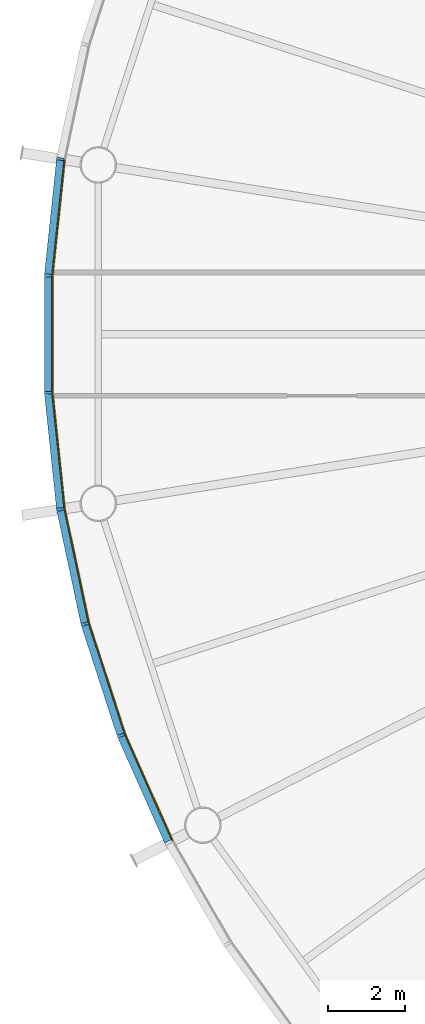
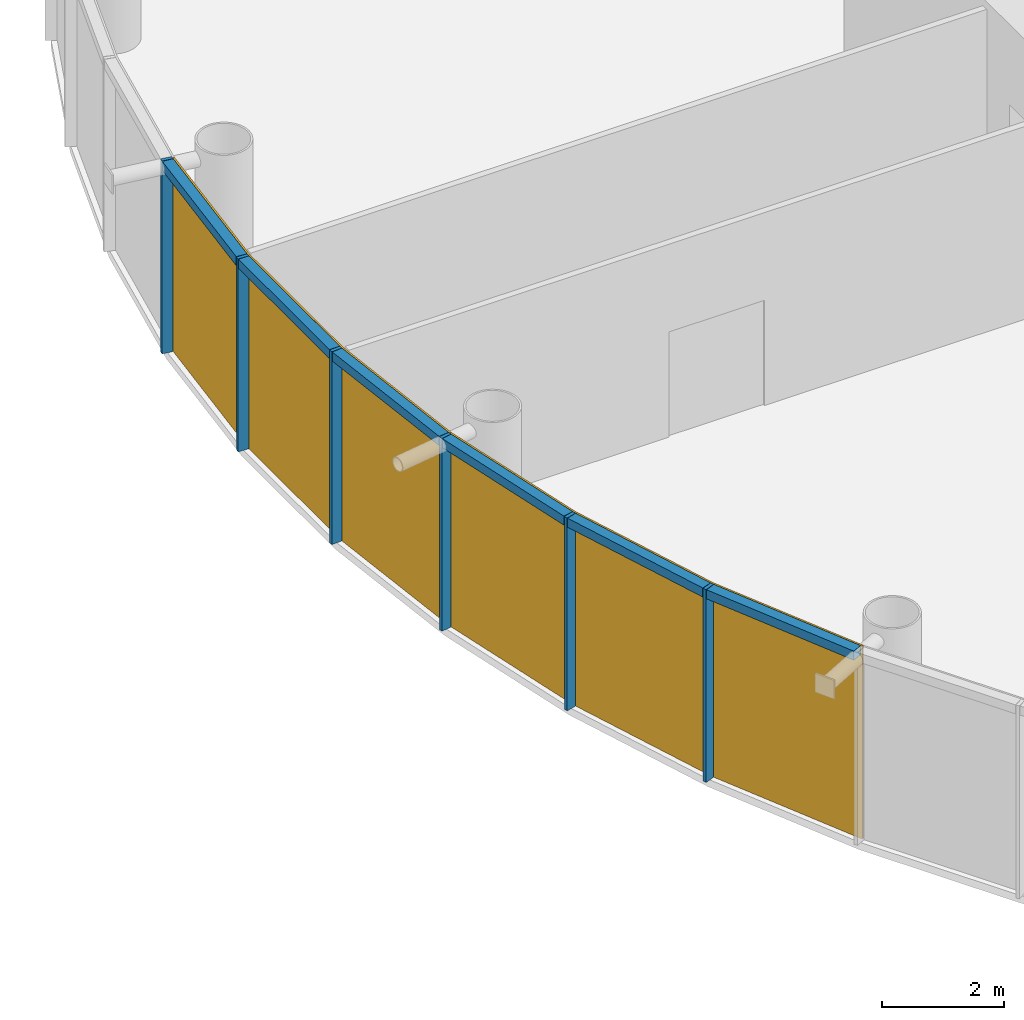
# One storey, part 11 of 16: 12 members, 2 curtain walls.
"""IFC4 building model written with IfcOpenShell, lengths in metres."""

from ifc_helpers import new_model, si_unit, direction, frame, origin, origin_2d, place, context, subcontext, project, spatial, polyline, rectangle, outline, extrude, material, layer, layer_set, material_profile, profile_set, type_object, element, aggregate, save


model = new_model("IFC4")

# Units and contexts
model_context = context("Model", 3, precision=1e-05, world=origin(), true_north=direction((0.0, 1.0)))
body_context = subcontext(model_context, "Body", "Model", "MODEL_VIEW")
ifc_project = project(units=[si_unit("LENGTHUNIT", "METRE"), si_unit("AREAUNIT", "SQUARE_METRE"), si_unit("VOLUMEUNIT", "CUBIC_METRE"), si_unit("PLANEANGLEUNIT", "RADIAN"), si_unit("MASSUNIT", "GRAM", prefix="KILO")], contexts=[model_context])

# Member
ifc_material_1 = material(Name="Anodised aluminium", Category="aluminium")
ifc_material_profile_1 = material_profile(ifc_material_1, rectangle(XDim=0.06494140625, YDim=0.195068359375, at=origin_2d()), Name="Mullion 65 x 195 mm anodised aluminium")
ifc_profile_set_1 = profile_set([ifc_material_profile_1], Name="Anodised aluminium")
member_type_1 = type_object("IfcMemberType", Name="Mullion 65 x 195 mm anodised aluminium", PredefinedType="MULLION", material=ifc_profile_set_1)
site_placement = place(None, origin())
building_placement = place(site_placement, origin())
storey_placement = place(building_placement, frame((0.0, 0.0, 326.0)))
member_1_placement = place(storey_placement, frame((61.2607421875, 84.5517578125, 0.0), z_axis=(0.0, 0.0, 1.0), x_axis=(-0.15643446504, -0.987688340595, 0.0)))
member_1 = element("IfcMember", 1, at=member_1_placement, type_object=member_type_1, Name="MULLION L75-27", PredefinedType="MULLION", context=body_context, shape_type="SweptSolid", body=[
    extrude(rectangle(XDim=0.06494140625, YDim=0.195068359375, at=origin_2d()), origin(), (0.0, 0.0, 1.0), 3.85009765625),
])

member_2_placement = place(storey_placement, frame((60.9423828125, 81.52294921875, 0.0), z_axis=(0.0, 0.0, 1.0), x_axis=(-0.052335956243, -0.998629534755, 0.0)))
member_2 = element("IfcMember", 2, at=member_2_placement, type_object=member_type_1, Name="MULLION L75-28", PredefinedType="MULLION", context=body_context, shape_type="SweptSolid", body=[
    extrude(rectangle(XDim=0.06494140625, YDim=0.195068359375, at=origin_2d()), origin(), (0.0, 0.0, 1.0), 3.85009765625),
])

member_3_placement = place(storey_placement, frame((60.9423828125, 78.47705078125, 0.0), z_axis=(0.0, 0.0, 1.0), x_axis=(0.052335956243, -0.998629534755, 0.0)))
member_3 = element("IfcMember", 3, at=member_3_placement, type_object=member_type_1, Name="MULLION L75-29", PredefinedType="MULLION", context=body_context, shape_type="SweptSolid", body=[
    extrude(rectangle(XDim=0.06494140625, YDim=0.195068359375, at=origin_2d()), origin(), (0.0, 0.0, 1.0), 3.85009765625),
])

member_4_placement = place(storey_placement, frame((61.2607421875, 75.4482421875, 0.0), z_axis=(0.0, 0.0, 1.0), x_axis=(0.15643446504, -0.987688340595, 0.0)))
member_4 = element("IfcMember", 4, at=member_4_placement, type_object=member_type_1, Name="MULLION L75-30", PredefinedType="MULLION", context=body_context, shape_type="SweptSolid", body=[
    extrude(rectangle(XDim=0.06494140625, YDim=0.195068359375, at=origin_2d()), origin(), (0.0, 0.0, 1.0), 3.85009765625),
])

member_5_placement = place(storey_placement, frame((61.89404296875, 72.468994140625, 0.0), z_axis=(0.0, 0.0, 1.0), x_axis=(0.258819045103, -0.965925826289, 0.0)))
member_5 = element("IfcMember", 5, at=member_5_placement, type_object=member_type_1, Name="MULLION L75-31", PredefinedType="MULLION", context=body_context, shape_type="SweptSolid", body=[
    extrude(rectangle(XDim=0.06494140625, YDim=0.195068359375, at=origin_2d()), origin(), (0.0, 0.0, 1.0), 3.85009765625),
])

member_6_placement = place(storey_placement, frame((62.835205078125, 69.572509765625, 0.0), z_axis=(0.0, 0.0, 1.0), x_axis=(0.358367949545, -0.933580426497, 0.0)))
member_6 = element("IfcMember", 6, at=member_6_placement, type_object=member_type_1, Name="MULLION L75-32", PredefinedType="MULLION", context=body_context, shape_type="SweptSolid", body=[
    extrude(rectangle(XDim=0.06494140625, YDim=0.195068359375, at=origin_2d()), origin(), (0.0, 0.0, 1.0), 3.85009765625),
])

ifc_material_2 = material(Name="Anodised aluminium", Category="aluminium")
ifc_material_profile_2 = material_profile(ifc_material_2, rectangle(XDim=0.195068359375, YDim=0.179931640625, at=origin_2d()), Name="Transom 180 x 195 mm anodised aluminium")
ifc_profile_set_2 = profile_set([ifc_material_profile_2], Name="Anodised aluminium")
member_type_2 = type_object("IfcMemberType", Name="Transom 180 x 195 mm anodised aluminium", PredefinedType="USERDEFINED", material=ifc_profile_set_2)
member_7_placement = place(storey_placement, frame((61.256591796875, 84.514404296875, 3.760009765625), z_axis=(-0.104466577987, -0.994528397827, 0.0), x_axis=(0.994528397827, -0.104466577987, 0.0)))
member_7 = element("IfcMember", 7, at=member_7_placement, type_object=member_type_2, Name="TRANSOM L75-27", ObjectType="TRANSOM", PredefinedType="USERDEFINED", context=body_context, shape_type="SweptSolid", body=[
    extrude(rectangle(XDim=0.195068359375, YDim=0.179931640625, at=origin_2d()), origin(), (0.0, 0.0, 1.0), 2.970458984375),
])

member_8_placement = place(storey_placement, frame((60.942138671875, 81.4853515625, 3.760009765625), z_axis=(0.0, -1.0, 0.0), x_axis=(1.0, 0.0, 0.0)))
member_8 = element("IfcMember", 8, at=member_8_placement, type_object=member_type_2, Name="TRANSOM L75-28", ObjectType="TRANSOM", PredefinedType="USERDEFINED", context=body_context, shape_type="SweptSolid", body=[
    extrude(rectangle(XDim=0.195068359375, YDim=0.179931640625, at=origin_2d()), origin(), (0.0, 0.0, 1.0), 2.970703125),
])

member_9_placement = place(storey_placement, frame((60.9462890625, 78.439697265625, 3.760009765625), z_axis=(0.104466577987, -0.994528397827, 0.0), x_axis=(0.994528397827, 0.104466577987, 0.0)))
member_9 = element("IfcMember", 9, at=member_9_placement, type_object=member_type_2, Name="TRANSOM L75-29", ObjectType="TRANSOM", PredefinedType="USERDEFINED", context=body_context, shape_type="SweptSolid", body=[
    extrude(rectangle(XDim=0.195068359375, YDim=0.179931640625, at=origin_2d()), origin(), (0.0, 0.0, 1.0), 2.970458984375),
])

member_10_placement = place(storey_placement, frame((61.268310546875, 75.411376953125, 3.760009765625), z_axis=(0.207940342877, -0.978141510112, 0.0), x_axis=(0.978141510112, 0.207940342877, 0.0)))
member_10 = element("IfcMember", 10, at=member_10_placement, type_object=member_type_2, Name="TRANSOM L75-30", ObjectType="TRANSOM", PredefinedType="USERDEFINED", context=body_context, shape_type="SweptSolid", body=[
    extrude(rectangle(XDim=0.195068359375, YDim=0.179931640625, at=origin_2d()), origin(), (0.0, 0.0, 1.0), 2.970458984375),
])

member_11_placement = place(storey_placement, frame((61.905517578125, 72.43310546875, 3.760009765625), z_axis=(0.309043326415, -0.951047960094, 0.0), x_axis=(0.951047960094, 0.309043326415, 0.0)))
member_11 = element("IfcMember", 11, at=member_11_placement, type_object=member_type_2, Name="TRANSOM L75-31", ObjectType="TRANSOM", PredefinedType="USERDEFINED", context=body_context, shape_type="SweptSolid", body=[
    extrude(rectangle(XDim=0.195068359375, YDim=0.179931640625, at=origin_2d()), origin(), (0.0, 0.0, 1.0), 2.970458984375),
])

member_12_placement = place(storey_placement, frame((62.850341796875, 69.5380859375, 3.760009765625), z_axis=(0.406725527369, -0.913550406593, 0.0), x_axis=(0.913550406593, 0.406725527369, 0.0)))
member_12 = element("IfcMember", 12, at=member_12_placement, type_object=member_type_2, Name="TRANSOM L75-32", ObjectType="TRANSOM", PredefinedType="USERDEFINED", context=body_context, shape_type="SweptSolid", body=[
    extrude(rectangle(XDim=0.195068359375, YDim=0.179931640625, at=origin_2d()), origin(), (0.0, 0.0, 1.0), 2.970703125),
])

# Site, building, storey
site = spatial("IfcSite", under=ifc_project, at=site_placement, CompositionType="ELEMENT")
building = spatial("IfcBuilding", under=site, at=building_placement, Name="Entoto Ring Tower", CompositionType="ELEMENT")
storey = spatial("IfcBuildingStorey", under=building, at=storey_placement, Name="L75", CompositionType="ELEMENT", Elevation=326.0)

# Curtain wall
ifc_material_3 = material(Name="Clear low-iron glass", Category="glass")
ifc_layer = layer(ifc_material_3, 0.033935546875)
ifc_layer_set = layer_set([ifc_layer], Name="Clear low-iron glass")
curtain_wall_type = type_object("IfcCurtainWallType", Name="Curtain wall system CW5 glazing 34 mm", PredefinedType="NOTDEFINED", material=ifc_layer_set)
curtain_wall_1_placement = place(storey_placement, origin())
curtain_wall_1 = element("IfcCurtainWall", 13, at=curtain_wall_1_placement, inside=storey, type_object=curtain_wall_type, Name="CW5 L75-10", PredefinedType="NOTDEFINED", context=body_context, shape_type="SweptSolid", body=[
    extrude(outline(polyline([(61.35693359375, 84.53662109375), (61.039794921875, 81.517822265625), (61.039794921875, 78.482177734375), (61.35693359375, 75.46337890625), (61.390625, 75.46875), (61.07373046875, 78.484130859375), (61.07373046875, 81.515869140625), (61.390625, 84.53125), (61.35693359375, 84.53662109375)])), origin(), (0.0, 0.0, 1.0), 3.85009765625),
])

aggregate(curtain_wall_1, [member_1, member_2, member_3, member_7, member_8, member_9])

curtain_wall_2_placement = place(storey_placement, origin())
curtain_wall_2 = element("IfcCurtainWall", 14, at=curtain_wall_2_placement, inside=storey, type_object=curtain_wall_type, Name="CW5 L75-11", PredefinedType="NOTDEFINED", context=body_context, shape_type="SweptSolid", body=[
    extrude(outline(polyline([(61.35693359375, 75.46337890625), (61.988037109375, 72.494140625), (62.92626953125, 69.607421875), (64.160888671875, 66.834228515625), (64.191162109375, 66.849853515625), (62.9580078125, 69.61962890625), (62.02099609375, 72.503173828125), (61.390625, 75.46875), (61.35693359375, 75.46337890625)])), origin(), (0.0, 0.0, 1.0), 3.85009765625),
])

aggregate(curtain_wall_2, [member_4, member_5, member_6, member_10, member_11, member_12])

save(model, "model.ifc")
